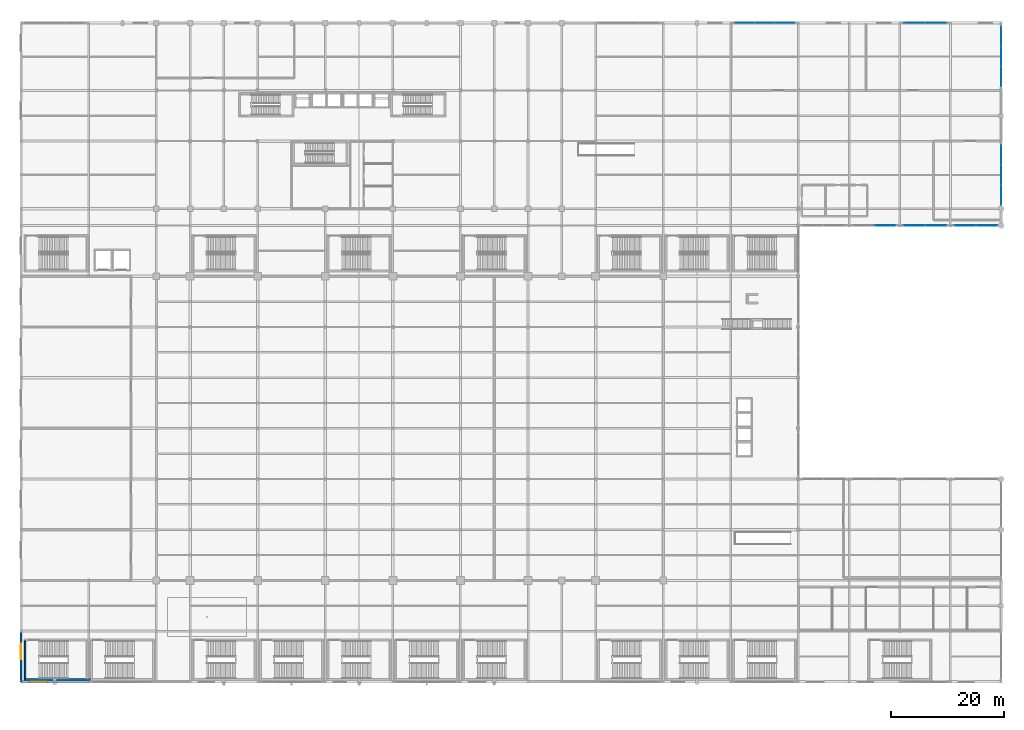
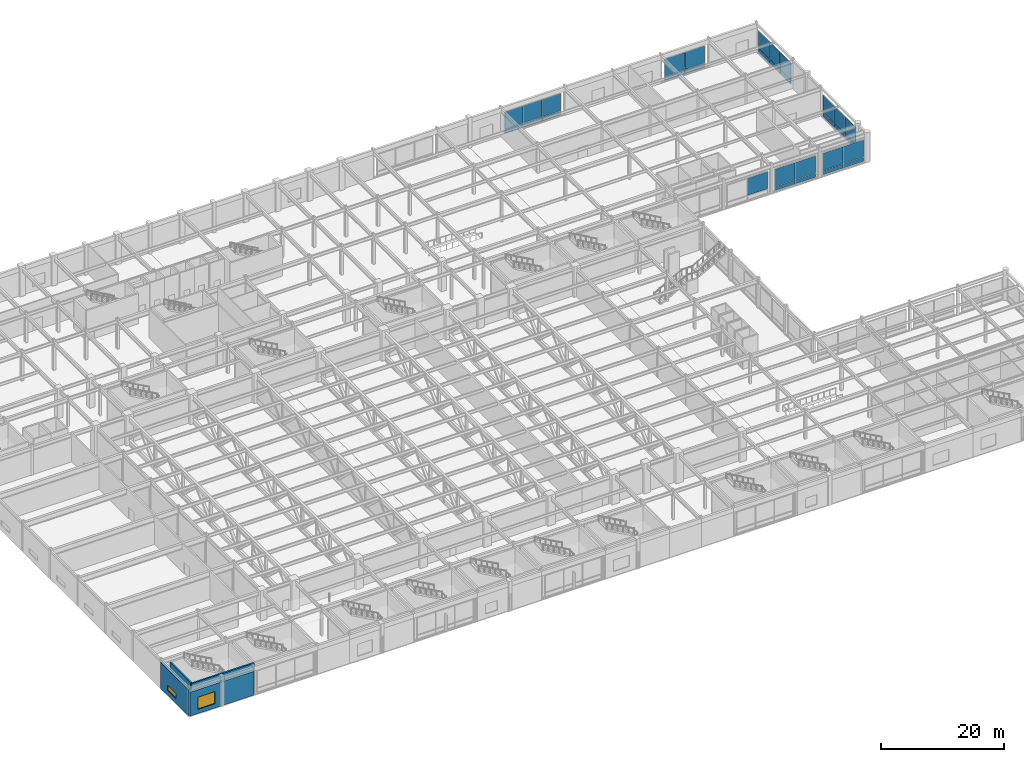
# One storey, part 87 of 108: 31 plates, 4 walls, 2 windows, 2 openings, 7 elements without a shape of their own.
"""IFC4 building model written with IfcOpenShell, lengths in metres."""

from ifc_helpers import new_model, si_unit, direction, frame, frame_2d, origin, origin_with_axes, origin_2d, place, context, subcontext, project, spatial, rectangle, extrude, material, layer, layer_set, type_object, element, fill, aggregate, save


model = new_model("IFC4")

# Units and contexts
model_context = context("Model", 3, precision=1e-05, world=origin(), true_north=direction((0.0, 1.0)))
body_context = subcontext(model_context, "Body", "Model", "MODEL_VIEW")
ifc_project = project(units=[si_unit("LENGTHUNIT", "METRE"), si_unit("AREAUNIT", "SQUARE_METRE"), si_unit("VOLUMEUNIT", "CUBIC_METRE"), si_unit("PLANEANGLEUNIT", "RADIAN"), si_unit("MASSUNIT", "GRAM", prefix="KILO")], contexts=[model_context])

# Site, building, storey
site_placement = place(None, origin())
site = spatial("IfcSite", under=ifc_project, at=site_placement, CompositionType="ELEMENT")
building_placement = place(site_placement, origin())
building = spatial("IfcBuilding", under=site, at=building_placement, Name="Kaldorvane Square Convention Centre", CompositionType="ELEMENT")
storey_placement = place(building_placement, frame((0.0, 0.0, 12.0)))
storey = spatial("IfcBuildingStorey", under=building, at=storey_placement, Name="L02", CompositionType="ELEMENT", Elevation=12.0)

# Curtain wall, plates
ifc_material_1 = material(Name="Anodized Aluminum and Low-E Insulated Glazing", Category="aluminium")
curtain_wall_type_1 = type_object("IfcCurtainWallType", Name="CW-UNI-P60-09", PredefinedType="USERDEFINED", material=ifc_material_1)
curtain_wall_1_placement = place(storey_placement, origin())
curtain_wall_1 = element("IfcCurtainWall", 1, at=curtain_wall_1_placement, inside=storey, type_object=curtain_wall_type_1, Name="Curtain Wall CW-02 (L02)", ObjectType="UNITISED GLAZING", PredefinedType="USERDEFINED")
ifc_layer_1 = layer(ifc_material_1, 0.0359954833984375)
ifc_layer_set_1 = layer_set([ifc_layer_1], Name="Anodized Aluminum and Low-E Insulated Glazing")
plate_type_1 = type_object("IfcPlateType", Name="CW-PNL-02", PredefinedType="CURTAIN_PANEL", material=ifc_layer_set_1)
plate_1_placement = place(storey_placement, frame((135.51708984375, 117.0, 0.2100067138671875), z_axis=(0.0, 0.0, 1.0), x_axis=(-1.0, 0.0, 0.0)))
plate_1 = element("IfcPlate", 2, at=plate_1_placement, type_object=plate_type_1, Name="CW-02 panel 1.1", PredefinedType="CURTAIN_PANEL", context=body_context, shape_type="SweptSolid", body=[
    extrude(rectangle(XDim=3.4358367919921875, YDim=0.0359954833984375, at=origin_2d()), origin(), (0.0, 0.0, 1.0), 0.80999755859375),
])
plate_2_placement = place(storey_placement, frame((135.51708984375, 117.0, 1.079986572265625), z_axis=(0.0, 0.0, 1.0), x_axis=(-1.0, 0.0, 0.0)))
plate_2 = element("IfcPlate", 3, at=plate_2_placement, type_object=plate_type_1, Name="CW-02 panel 1.2", PredefinedType="CURTAIN_PANEL", context=body_context, shape_type="SweptSolid", body=[
    extrude(rectangle(XDim=3.4358367919921875, YDim=0.0359954833984375, at=origin_2d()), origin(), (0.0, 0.0, 1.0), 3.3899993896484375),
])
plate_3_placement = place(storey_placement, frame((132.0, 117.0, 0.2100067138671875), z_axis=(0.0, 0.0, 1.0), x_axis=(-1.0, 0.0, 0.0)))
plate_3 = element("IfcPlate", 4, at=plate_3_placement, type_object=plate_type_1, Name="CW-02 panel 2.1", PredefinedType="CURTAIN_PANEL", context=body_context, shape_type="SweptSolid", body=[
    extrude(rectangle(XDim=3.4683380126953125, YDim=0.0359954833984375, at=origin_2d()), origin(), (0.0, 0.0, 1.0), 0.80999755859375),
])
plate_4_placement = place(storey_placement, frame((132.0, 117.0, 1.079986572265625), z_axis=(0.0, 0.0, 1.0), x_axis=(-1.0, 0.0, 0.0)))
plate_4 = element("IfcPlate", 5, at=plate_4_placement, type_object=plate_type_1, Name="CW-02 panel 2.2", PredefinedType="CURTAIN_PANEL", context=body_context, shape_type="SweptSolid", body=[
    extrude(rectangle(XDim=3.4683380126953125, YDim=0.0359954833984375, at=origin_2d()), origin(), (0.0, 0.0, 1.0), 3.3899993896484375),
])
plate_5_placement = place(storey_placement, frame((128.48291015625, 117.0, 0.2100067138671875), z_axis=(0.0, 0.0, 1.0), x_axis=(-1.0, 0.0, 0.0)))
plate_5 = element("IfcPlate", 6, at=plate_5_placement, type_object=plate_type_1, Name="CW-02 panel 3.1", PredefinedType="CURTAIN_PANEL", context=body_context, shape_type="SweptSolid", body=[
    extrude(rectangle(XDim=3.4358367919921875, YDim=0.0359954833984375, at=origin_2d()), origin(), (0.0, 0.0, 1.0), 0.80999755859375),
])
plate_6_placement = place(storey_placement, frame((128.48291015625, 117.0, 1.079986572265625), z_axis=(0.0, 0.0, 1.0), x_axis=(-1.0, 0.0, 0.0)))
plate_6 = element("IfcPlate", 7, at=plate_6_placement, type_object=plate_type_1, Name="CW-02 panel 3.2", PredefinedType="CURTAIN_PANEL", context=body_context, shape_type="SweptSolid", body=[
    extrude(rectangle(XDim=3.4358367919921875, YDim=0.0359954833984375, at=origin_2d()), origin(), (0.0, 0.0, 1.0), 3.3899993896484375),
])
aggregate(curtain_wall_1, [plate_1, plate_2, plate_3, plate_4, plate_5, plate_6])

curtain_wall_2_placement = place(storey_placement, origin())
curtain_wall_2 = element("IfcCurtainWall", 8, at=curtain_wall_2_placement, inside=storey, type_object=curtain_wall_type_1, Name="Curtain Wall CW-02 (L02)", ObjectType="UNITISED GLAZING", PredefinedType="USERDEFINED")
plate_7_placement = place(storey_placement, frame((162.3837432861328, 117.0, 0.2100067138671875), z_axis=(0.0, 0.0, 1.0), x_axis=(-1.0, 0.0, 0.0)))
plate_7 = element("IfcPlate", 9, at=plate_7_placement, type_object=plate_type_1, Name="CW-02 panel 1.1", PredefinedType="CURTAIN_PANEL", context=body_context, shape_type="SweptSolid", body=[
    extrude(rectangle(XDim=3.7024993896484375, YDim=0.0359954833984375, at=origin_2d()), origin(), (0.0, 0.0, 1.0), 0.80999755859375),
])
plate_8_placement = place(storey_placement, frame((162.3837432861328, 117.0, 1.079986572265625), z_axis=(0.0, 0.0, 1.0), x_axis=(-1.0, 0.0, 0.0)))
plate_8 = element("IfcPlate", 10, at=plate_8_placement, type_object=plate_type_1, Name="CW-02 panel 1.2", PredefinedType="CURTAIN_PANEL", context=body_context, shape_type="SweptSolid", body=[
    extrude(rectangle(XDim=3.7024993896484375, YDim=0.0359954833984375, at=origin_2d()), origin(), (0.0, 0.0, 1.0), 3.3899993896484375),
])
plate_9_placement = place(storey_placement, frame((158.6162567138672, 117.0, 0.2100067138671875), z_axis=(0.0, 0.0, 1.0), x_axis=(-1.0, 0.0, 0.0)))
plate_9 = element("IfcPlate", 11, at=plate_9_placement, type_object=plate_type_1, Name="CW-02 panel 2.1", PredefinedType="CURTAIN_PANEL", context=body_context, shape_type="SweptSolid", body=[
    extrude(rectangle(XDim=3.7024993896484375, YDim=0.0359954833984375, at=origin_2d()), origin(), (0.0, 0.0, 1.0), 0.80999755859375),
])
plate_10_placement = place(storey_placement, frame((158.6162567138672, 117.0, 1.079986572265625), z_axis=(0.0, 0.0, 1.0), x_axis=(-1.0, 0.0, 0.0)))
plate_10 = element("IfcPlate", 12, at=plate_10_placement, type_object=plate_type_1, Name="CW-02 panel 2.2", PredefinedType="CURTAIN_PANEL", context=body_context, shape_type="SweptSolid", body=[
    extrude(rectangle(XDim=3.7024993896484375, YDim=0.0359954833984375, at=origin_2d()), origin(), (0.0, 0.0, 1.0), 3.3899993896484375),
])
aggregate(curtain_wall_2, [plate_7, plate_8, plate_9, plate_10])

curtain_wall_3_placement = place(storey_placement, origin())
curtain_wall_3 = element("IfcCurtainWall", 13, at=curtain_wall_3_placement, inside=storey, type_object=curtain_wall_type_1, Name="Curtain Wall CW-02 (L02)", ObjectType="UNITISED GLAZING", PredefinedType="USERDEFINED")
ifc_layer_2 = layer(ifc_material_1, 0.029998779296875)
ifc_layer_set_2 = layer_set([ifc_layer_2], Name="Anodized Aluminum and Low-E Insulated Glazing")
plate_type_2 = type_object("IfcPlateType", Name="CW-PNL-05", PredefinedType="CURTAIN_PANEL", material=ifc_layer_set_2)
plate_11_placement = place(storey_placement, frame((174.0, 86.4495849609375, 0.2100067138671875), z_axis=(0.0, 0.0, 1.0), x_axis=(0.0, 1.0, 0.0)))
plate_11 = element("IfcPlate", 14, at=plate_11_placement, type_object=plate_type_2, Name="CW-02 panel 1.1", PredefinedType="CURTAIN_PANEL", context=body_context, shape_type="SweptSolid", body=[
    extrude(rectangle(XDim=3.4691619873046875, YDim=0.029998779296875, at=origin_2d()), origin(), (0.0, 0.0, 1.0), 0.80999755859375),
])
plate_12_placement = place(storey_placement, frame((174.0, 86.4495849609375, 1.079986572265625), z_axis=(0.0, 0.0, 1.0), x_axis=(0.0, 1.0, 0.0)))
plate_12 = element("IfcPlate", 15, at=plate_12_placement, type_object=plate_type_2, Name="CW-02 panel 1.2", PredefinedType="CURTAIN_PANEL", context=body_context, shape_type="SweptSolid", body=[
    extrude(rectangle(XDim=3.4691619873046875, YDim=0.029998779296875, at=origin_2d()), origin(), (0.0, 0.0, 1.0), 3.3899993896484375),
])
plate_13_placement = place(storey_placement, frame((174.0, 90.0, 0.2100067138671875), z_axis=(0.0, 0.0, 1.0), x_axis=(0.0, 1.0, 0.0)))
plate_13 = element("IfcPlate", 16, at=plate_13_placement, type_object=plate_type_2, Name="CW-02 panel 2.1", PredefinedType="CURTAIN_PANEL", context=body_context, shape_type="SweptSolid", body=[
    extrude(rectangle(XDim=3.5016632080078125, YDim=0.029998779296875, at=origin_2d()), origin(), (0.0, 0.0, 1.0), 0.80999755859375),
])
plate_14_placement = place(storey_placement, frame((174.0, 90.0, 1.079986572265625), z_axis=(0.0, 0.0, 1.0), x_axis=(0.0, 1.0, 0.0)))
plate_14 = element("IfcPlate", 17, at=plate_14_placement, type_object=plate_type_2, Name="CW-02 panel 2.2", PredefinedType="CURTAIN_PANEL", context=body_context, shape_type="SweptSolid", body=[
    extrude(rectangle(XDim=3.5016632080078125, YDim=0.029998779296875, at=origin_2d()), origin(), (0.0, 0.0, 1.0), 3.3899993896484375),
])
plate_15_placement = place(storey_placement, frame((174.0, 93.5504150390625, 0.2100067138671875), z_axis=(0.0, 0.0, 1.0), x_axis=(0.0, 1.0, 0.0)))
plate_15 = element("IfcPlate", 18, at=plate_15_placement, type_object=plate_type_2, Name="CW-02 panel 3.1", PredefinedType="CURTAIN_PANEL", context=body_context, shape_type="SweptSolid", body=[
    extrude(rectangle(XDim=3.4691619873046875, YDim=0.029998779296875, at=origin_2d()), origin(), (0.0, 0.0, 1.0), 0.80999755859375),
])
plate_16_placement = place(storey_placement, frame((174.0, 93.5504150390625, 1.079986572265625), z_axis=(0.0, 0.0, 1.0), x_axis=(0.0, 1.0, 0.0)))
plate_16 = element("IfcPlate", 19, at=plate_16_placement, type_object=plate_type_2, Name="CW-02 panel 3.2", PredefinedType="CURTAIN_PANEL", context=body_context, shape_type="SweptSolid", body=[
    extrude(rectangle(XDim=3.4691619873046875, YDim=0.029998779296875, at=origin_2d()), origin(), (0.0, 0.0, 1.0), 3.3899993896484375),
])
aggregate(curtain_wall_3, [plate_11, plate_12, plate_13, plate_14, plate_15, plate_16])

curtain_wall_4_placement = place(storey_placement, origin())
curtain_wall_4 = element("IfcCurtainWall", 20, at=curtain_wall_4_placement, inside=storey, type_object=curtain_wall_type_1, Name="Curtain Wall CW-02 (L02)", ObjectType="UNITISED GLAZING", PredefinedType="USERDEFINED")
plate_17_placement = place(storey_placement, frame((174.0, 107.4495849609375, 0.2100067138671875), z_axis=(0.0, 0.0, 1.0), x_axis=(0.0, 1.0, 0.0)))
plate_17 = element("IfcPlate", 21, at=plate_17_placement, type_object=plate_type_2, Name="CW-02 panel 1.1", PredefinedType="CURTAIN_PANEL", context=body_context, shape_type="SweptSolid", body=[
    extrude(rectangle(XDim=3.4691619873046875, YDim=0.029998779296875, at=origin_2d()), origin(), (0.0, 0.0, 1.0), 0.80999755859375),
])
plate_18_placement = place(storey_placement, frame((174.0, 107.4495849609375, 1.079986572265625), z_axis=(0.0, 0.0, 1.0), x_axis=(0.0, 1.0, 0.0)))
plate_18 = element("IfcPlate", 22, at=plate_18_placement, type_object=plate_type_2, Name="CW-02 panel 1.2", PredefinedType="CURTAIN_PANEL", context=body_context, shape_type="SweptSolid", body=[
    extrude(rectangle(XDim=3.4691619873046875, YDim=0.029998779296875, at=origin_2d()), origin(), (0.0, 0.0, 1.0), 3.3899993896484375),
])
plate_19_placement = place(storey_placement, frame((174.0, 111.0, 0.2100067138671875), z_axis=(0.0, 0.0, 1.0), x_axis=(0.0, 1.0, 0.0)))
plate_19 = element("IfcPlate", 23, at=plate_19_placement, type_object=plate_type_2, Name="CW-02 panel 2.1", PredefinedType="CURTAIN_PANEL", context=body_context, shape_type="SweptSolid", body=[
    extrude(rectangle(XDim=3.5016632080078125, YDim=0.029998779296875, at=origin_2d()), origin(), (0.0, 0.0, 1.0), 0.80999755859375),
])
plate_20_placement = place(storey_placement, frame((174.0, 111.0, 1.079986572265625), z_axis=(0.0, 0.0, 1.0), x_axis=(0.0, 1.0, 0.0)))
plate_20 = element("IfcPlate", 24, at=plate_20_placement, type_object=plate_type_2, Name="CW-02 panel 2.2", PredefinedType="CURTAIN_PANEL", context=body_context, shape_type="SweptSolid", body=[
    extrude(rectangle(XDim=3.5016632080078125, YDim=0.029998779296875, at=origin_2d()), origin(), (0.0, 0.0, 1.0), 3.3899993896484375),
])
plate_21_placement = place(storey_placement, frame((174.0, 114.5504150390625, 0.2100067138671875), z_axis=(0.0, 0.0, 1.0), x_axis=(0.0, 1.0, 0.0)))
plate_21 = element("IfcPlate", 25, at=plate_21_placement, type_object=plate_type_2, Name="CW-02 panel 3.1", PredefinedType="CURTAIN_PANEL", context=body_context, shape_type="SweptSolid", body=[
    extrude(rectangle(XDim=3.4691619873046875, YDim=0.029998779296875, at=origin_2d()), origin(), (0.0, 0.0, 1.0), 0.80999755859375),
])
plate_22_placement = place(storey_placement, frame((174.0, 114.5504150390625, 1.079986572265625), z_axis=(0.0, 0.0, 1.0), x_axis=(0.0, 1.0, 0.0)))
plate_22 = element("IfcPlate", 26, at=plate_22_placement, type_object=plate_type_2, Name="CW-02 panel 3.2", PredefinedType="CURTAIN_PANEL", context=body_context, shape_type="SweptSolid", body=[
    extrude(rectangle(XDim=3.4691619873046875, YDim=0.029998779296875, at=origin_2d()), origin(), (0.0, 0.0, 1.0), 3.3899993896484375),
])
aggregate(curtain_wall_4, [plate_17, plate_18, plate_19, plate_20, plate_21, plate_22])

# Curtain wall, plate
curtain_wall_type_2 = type_object("IfcCurtainWallType", Name="CW-PTS-FC-60", PredefinedType="USERDEFINED", material=ifc_material_1)
curtain_wall_5_placement = place(storey_placement, origin())
curtain_wall_5 = element("IfcCurtainWall", 27, at=curtain_wall_5_placement, inside=storey, type_object=curtain_wall_type_2, Name="Curtain Wall CW-07 (L02)", ObjectType="POINT SUPPORTED GLAZING", PredefinedType="USERDEFINED")
ifc_layer_3 = layer(ifc_material_1, 0.0399932861328125)
ifc_layer_set_3 = layer_set([ifc_layer_3], Name="Anodized Aluminum and Low-E Insulated Glazing")
plate_type_3 = type_object("IfcPlateType", Name="CW-PNL-07", PredefinedType="CURTAIN_PANEL", material=ifc_layer_set_3)
plate_23_placement = place(storey_placement, frame((153.40625, 81.0, 1.082489013671875), z_axis=(0.0, 0.0, 1.0), x_axis=(1.0, 0.0, 0.0)))
plate_23 = element("IfcPlate", 28, at=plate_23_placement, type_object=plate_type_3, Name="CW-07 panel 2.2", PredefinedType="CURTAIN_PANEL", context=body_context, shape_type="SweptSolid", body=[
    extrude(rectangle(XDim=3.7375030517578125, YDim=0.0399932861328125, at=origin_2d()), origin(), (0.0, 0.0, 1.0), 3.38250732421875),
])
aggregate(curtain_wall_5, [plate_23])

# Curtain wall, plates
curtain_wall_6_placement = place(storey_placement, origin())
curtain_wall_6 = element("IfcCurtainWall", 29, at=curtain_wall_6_placement, inside=storey, type_object=curtain_wall_type_2, Name="Curtain Wall CW-07 (L02)", ObjectType="POINT SUPPORTED GLAZING", PredefinedType="USERDEFINED")
plate_24_placement = place(storey_placement, frame((158.59375, 81.0, 0.214996337890625), z_axis=(0.0, 0.0, 1.0), x_axis=(1.0, 0.0, 0.0)))
plate_24 = element("IfcPlate", 30, at=plate_24_placement, type_object=plate_type_3, Name="CW-07 panel 1.1", PredefinedType="CURTAIN_PANEL", context=body_context, shape_type="SweptSolid", body=[
    extrude(rectangle(XDim=3.7375030517578125, YDim=0.0399932861328125, at=origin_2d()), origin(), (0.0, 0.0, 1.0), 0.8025054931640625),
])
plate_25_placement = place(storey_placement, frame((158.59375, 81.0, 1.082489013671875), z_axis=(0.0, 0.0, 1.0), x_axis=(1.0, 0.0, 0.0)))
plate_25 = element("IfcPlate", 31, at=plate_25_placement, type_object=plate_type_3, Name="CW-07 panel 1.2", PredefinedType="CURTAIN_PANEL", context=body_context, shape_type="SweptSolid", body=[
    extrude(rectangle(XDim=3.7375030517578125, YDim=0.0399932861328125, at=origin_2d()), origin(), (0.0, 0.0, 1.0), 3.38250732421875),
])
plate_26_placement = place(storey_placement, frame((162.40625, 81.0, 0.214996337890625), z_axis=(0.0, 0.0, 1.0), x_axis=(1.0, 0.0, 0.0)))
plate_26 = element("IfcPlate", 32, at=plate_26_placement, type_object=plate_type_3, Name="CW-07 panel 2.1", PredefinedType="CURTAIN_PANEL", context=body_context, shape_type="SweptSolid", body=[
    extrude(rectangle(XDim=3.7375030517578125, YDim=0.0399932861328125, at=origin_2d()), origin(), (0.0, 0.0, 1.0), 0.8025054931640625),
])
plate_27_placement = place(storey_placement, frame((162.40625, 81.0, 1.082489013671875), z_axis=(0.0, 0.0, 1.0), x_axis=(1.0, 0.0, 0.0)))
plate_27 = element("IfcPlate", 33, at=plate_27_placement, type_object=plate_type_3, Name="CW-07 panel 2.2", PredefinedType="CURTAIN_PANEL", context=body_context, shape_type="SweptSolid", body=[
    extrude(rectangle(XDim=3.7375030517578125, YDim=0.0399932861328125, at=origin_2d()), origin(), (0.0, 0.0, 1.0), 3.38250732421875),
])
aggregate(curtain_wall_6, [plate_24, plate_25, plate_26, plate_27])

curtain_wall_7_placement = place(storey_placement, origin())
curtain_wall_7 = element("IfcCurtainWall", 34, at=curtain_wall_7_placement, inside=storey, type_object=curtain_wall_type_2, Name="Curtain Wall CW-07 (L02)", ObjectType="POINT SUPPORTED GLAZING", PredefinedType="USERDEFINED")
plate_28_placement = place(storey_placement, frame((167.59375, 81.0, 0.214996337890625), z_axis=(0.0, 0.0, 1.0), x_axis=(1.0, 0.0, 0.0)))
plate_28 = element("IfcPlate", 35, at=plate_28_placement, type_object=plate_type_3, Name="CW-07 panel 1.1", PredefinedType="CURTAIN_PANEL", context=body_context, shape_type="SweptSolid", body=[
    extrude(rectangle(XDim=3.7375030517578125, YDim=0.0399932861328125, at=origin_2d()), origin(), (0.0, 0.0, 1.0), 0.8025054931640625),
])
plate_29_placement = place(storey_placement, frame((167.59375, 81.0, 1.082489013671875), z_axis=(0.0, 0.0, 1.0), x_axis=(1.0, 0.0, 0.0)))
plate_29 = element("IfcPlate", 36, at=plate_29_placement, type_object=plate_type_3, Name="CW-07 panel 1.2", PredefinedType="CURTAIN_PANEL", context=body_context, shape_type="SweptSolid", body=[
    extrude(rectangle(XDim=3.7375030517578125, YDim=0.0399932861328125, at=origin_2d()), origin(), (0.0, 0.0, 1.0), 3.38250732421875),
])
plate_30_placement = place(storey_placement, frame((171.40625, 81.0, 0.214996337890625), z_axis=(0.0, 0.0, 1.0), x_axis=(1.0, 0.0, 0.0)))
plate_30 = element("IfcPlate", 37, at=plate_30_placement, type_object=plate_type_3, Name="CW-07 panel 2.1", PredefinedType="CURTAIN_PANEL", context=body_context, shape_type="SweptSolid", body=[
    extrude(rectangle(XDim=3.7375030517578125, YDim=0.0399932861328125, at=origin_2d()), origin(), (0.0, 0.0, 1.0), 0.8025054931640625),
])
plate_31_placement = place(storey_placement, frame((171.40625, 81.0, 1.082489013671875), z_axis=(0.0, 0.0, 1.0), x_axis=(1.0, 0.0, 0.0)))
plate_31 = element("IfcPlate", 38, at=plate_31_placement, type_object=plate_type_3, Name="CW-07 panel 2.2", PredefinedType="CURTAIN_PANEL", context=body_context, shape_type="SweptSolid", body=[
    extrude(rectangle(XDim=3.7375030517578125, YDim=0.0399932861328125, at=origin_2d()), origin(), (0.0, 0.0, 1.0), 3.38250732421875),
])
aggregate(curtain_wall_7, [plate_28, plate_29, plate_30, plate_31])

# Wall, opening, window
ifc_material_2 = material(Name="Concrete f'c = 42 MPa (Normalweight)", Category="concrete")
ifc_layer_4 = layer(ifc_material_2, 0.3800048828125)
ifc_layer_set_4 = layer_set([ifc_layer_4], Name="Concrete f'c = 42 MPa (Normalweight)")
wall_type_1 = type_object("IfcWallType", Name="WL-EXT-380", PredefinedType="STANDARD", material=ifc_layer_set_4)
wall_1_placement = place(storey_placement, origin_with_axes())
wall_1 = element("IfcWall", 39, at=wall_1_placement, inside=storey, type_object=wall_type_1, Name="South Square Brutalist Facade Wall (L02)", PredefinedType="STANDARD", context=body_context, shape_type="SweptSolid", body=[
    extrude(rectangle(XDim=12.0, YDim=0.3800048828125, at=frame_2d((6.0, 0.0))), origin(), (0.0, 0.0, 1.0), 4.746002197265625),
])
opening_1_placement = place(wall_1_placement, frame((1.5, 0.0, 0.850006103515625)))
opening_1 = element("IfcOpeningElement", 40, at=opening_1_placement, cuts=wall_1, Name="Opening W-15", PredefinedType="OPENING", context=body_context, shape_type="SweptSolid", body=[
    extrude(rectangle(XDim=3.1999969482421875, YDim=2.399993896484375, at=frame_2d((1.600006103515625, 1.1999969482421875))), frame((0.0, 0.2050018310546875, 0.0), z_axis=(0.0, -1.0, 0.0), x_axis=(1.0, 0.0, 0.0)), (0.0, 0.0, 1.0), 0.410003662109375),
])
window_type_1 = type_object("IfcWindowType", Name="WN-POD-3200X2400", PartitioningType="TRIPLE_PANEL_VERTICAL", PredefinedType="WINDOW", material=ifc_material_1)
window_1_placement = place(opening_1_placement, origin())
window_1 = element("IfcWindow", 41, at=window_1_placement, inside=storey, type_object=window_type_1, Name="South Facade Window (L02)", OverallHeight=2.399993896484375, OverallWidth=3.1999969482421875, PartitioningType="TRIPLE_PANEL_VERTICAL", PredefinedType="WINDOW", context=body_context, shape_type="SweptSolid", body=[
    extrude(rectangle(XDim=3.1999969482421875, YDim=2.399993896484375, at=frame_2d((1.600006103515625, 1.1999969482421875))), frame((0.0, 0.029998779296875, 0.0), z_axis=(0.0, -1.0, 0.0), x_axis=(1.0, 0.0, 0.0)), (0.0, 0.0, 1.0), 0.05999755859375),
])
fill(opening_1, window_1)

wall_2_placement = place(storey_placement, frame((0.0, 9.0, 0.0), z_axis=(0.0, 0.0, 1.0), x_axis=(0.0, -1.0, 0.0)))
wall_2 = element("IfcWall", 42, at=wall_2_placement, inside=storey, type_object=wall_type_1, Name="West Brutalist Facade Wall (L02)", PredefinedType="STANDARD", context=body_context, shape_type="SweptSolid", body=[
    extrude(rectangle(XDim=9.0, YDim=0.3800048828125, at=frame_2d((4.5, 0.0))), origin(), (0.0, 0.0, 1.0), 5.2389984130859375),
])
opening_2_placement = place(wall_2_placement, frame((2.1999969482421875, 0.0, 1.0)))
opening_2 = element("IfcOpeningElement", 43, at=opening_2_placement, cuts=wall_2, Name="Opening W-26", PredefinedType="OPENING", context=body_context, shape_type="SweptSolid", body=[
    extrude(rectangle(XDim=2.8000030517578125, YDim=1.0, at=frame_2d((1.399993896484375, 0.5))), frame((0.0, 0.2050018310546875, 0.0), z_axis=(0.0, -1.0, 0.0), x_axis=(1.0, 0.0, 0.0)), (0.0, 0.0, 1.0), 0.410003662109375),
])
window_type_2 = type_object("IfcWindowType", Name="WN-CLR-2800X1000", PartitioningType="DOUBLE_PANEL_HORIZONTAL", PredefinedType="WINDOW", material=ifc_material_1)
window_2_placement = place(opening_2_placement, origin())
window_2 = element("IfcWindow", 44, at=window_2_placement, inside=storey, type_object=window_type_2, Name="West Facade Window (L02)", OverallHeight=1.0, OverallWidth=2.8000030517578125, PartitioningType="DOUBLE_PANEL_HORIZONTAL", PredefinedType="WINDOW", context=body_context, shape_type="SweptSolid", body=[
    extrude(rectangle(XDim=2.8000030517578125, YDim=1.0, at=frame_2d((1.399993896484375, 0.5))), frame((0.0, 0.029998779296875, 0.0), z_axis=(0.0, -1.0, 0.0), x_axis=(1.0, 0.0, 0.0)), (0.0, 0.0, 1.0), 0.05999755859375),
])
fill(opening_2, window_2)

# Walls
ifc_material_3 = material(Name="Concrete f'c = 55 MPa (Normalweight)", Category="concrete")
ifc_layer_5 = layer(ifc_material_3, 0.3000030517578125)
ifc_layer_set_5 = layer_set([ifc_layer_5], Name="Concrete f'c = 55 MPa (Normalweight)")
wall_type_2 = type_object("IfcWallType", Name="WL-SHAFT-300", PredefinedType="SHEAR", material=ifc_layer_set_5)
wall_3_placement = place(storey_placement, frame((12.339996337890625, 0.399993896484375, 0.0), z_axis=(0.0, 0.0, 1.0), x_axis=(-1.0, 0.0, 0.0)))
element("IfcWall", 45, at=wall_3_placement, inside=storey, type_object=wall_type_2, Name="Core Enclosure Wall stair:ST-C1-S (L02)", PredefinedType="SHEAR", context=body_context, shape_type="SweptSolid", body=[
    extrude(rectangle(XDim=11.779998779296875, YDim=0.3000030517578125, at=frame_2d((5.8899993896484375, 0.0))), origin(), (0.0, 0.0, 1.0), 6.0),
])
wall_4_placement = place(storey_placement, frame((0.7100067138671875, 7.2599945068359375, 0.0), z_axis=(0.0, 0.0, 1.0), x_axis=(0.0, -1.0, 0.0)))
element("IfcWall", 46, at=wall_4_placement, inside=storey, type_object=wall_type_2, Name="Core Enclosure Wall stair:ST-C1-W (L02)", PredefinedType="SHEAR", context=body_context, shape_type="SweptSolid", body=[
    extrude(rectangle(XDim=6.709991455078125, YDim=0.3000030517578125, at=frame_2d((3.3549957275390625, 0.0))), origin(), (0.0, 0.0, 1.0), 6.0),
])

save(model, "model.ifc")
